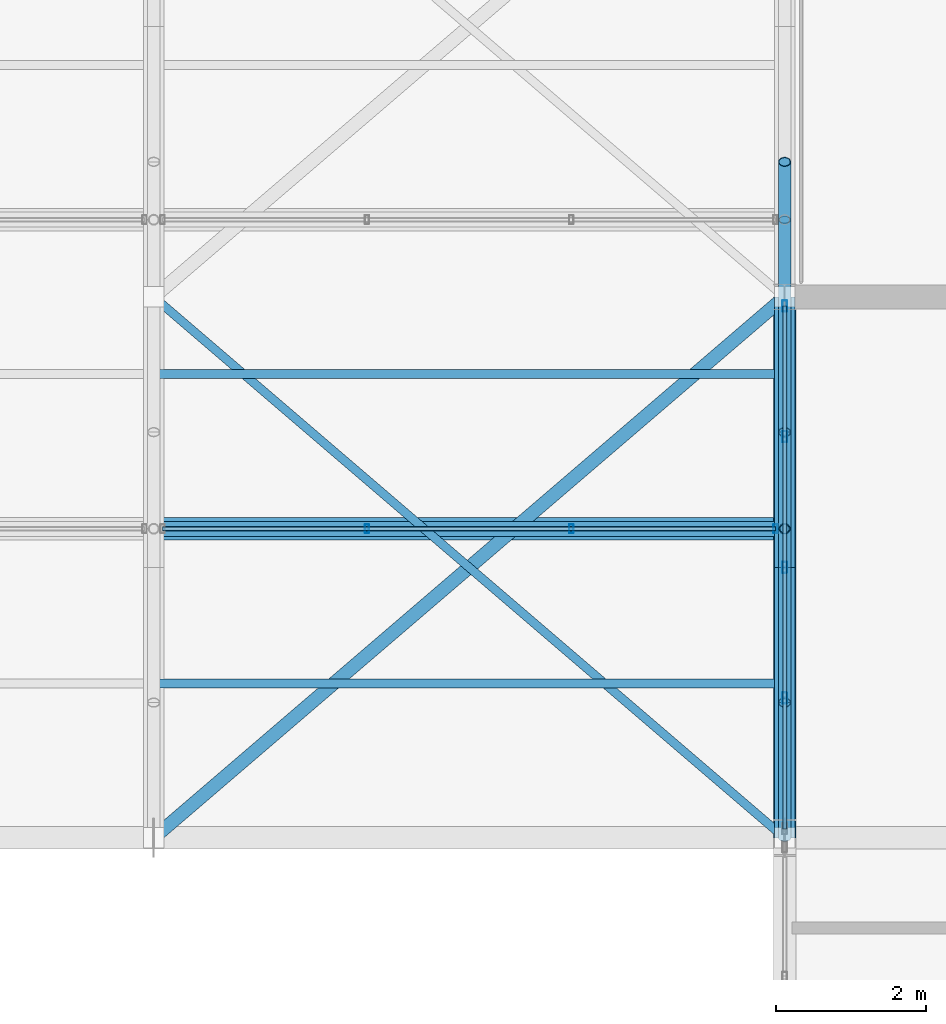
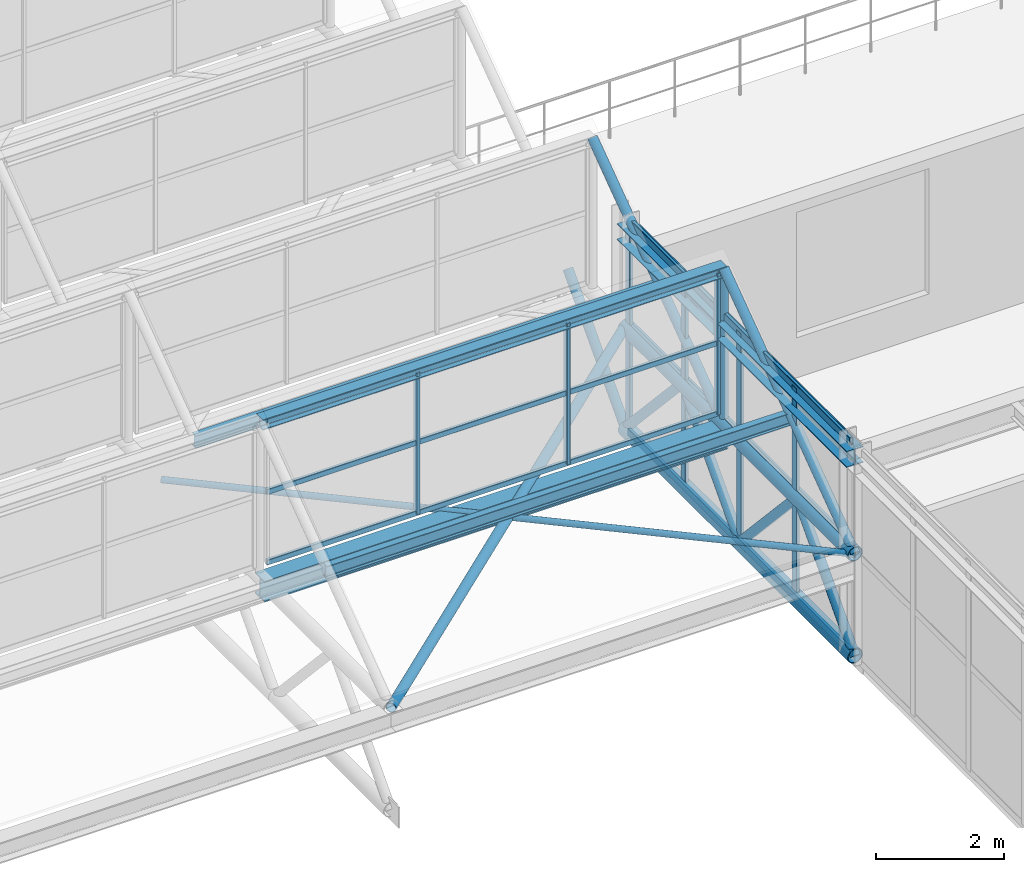
# One storey, part 85 of 134: 27 members, 5 beams, 2 elements without a shape of their own.
"""IFC4 building model written with IfcOpenShell, lengths in metres."""

from ifc_helpers import new_model, si_unit, derived_unit, direction, frame, origin, origin_2d, place, context, subcontext, project, spatial, hollow_rectangle, hollow_circle, i_section, extrude, material, material_profile, profile_set, type_object, element, aggregate, save


model = new_model("IFC4")

# Units and contexts
model_context = context("Model", 3, precision=1e-05, world=origin(), true_north=direction((0.0, 1.0)))
body_context = subcontext(model_context, "Body", "Model", "MODEL_VIEW")
ifc_project = project(units=[si_unit("LENGTHUNIT", "METRE"), si_unit("AREAUNIT", "SQUARE_METRE"), si_unit("VOLUMEUNIT", "CUBIC_METRE"), si_unit("PLANEANGLEUNIT", "RADIAN"), si_unit("MASSUNIT", "GRAM", prefix="KILO"), derived_unit("THERMALTRANSMITTANCEUNIT", [(si_unit("MASSUNIT", "GRAM", prefix="KILO"), 1), (si_unit("TIMEUNIT", "SECOND"), -3), (si_unit("THERMODYNAMICTEMPERATUREUNIT", "KELVIN"), -1)])], contexts=[model_context])

# Site, building, storey
site_placement = place(None, origin())
site = spatial("IfcSite", under=ifc_project, at=site_placement, CompositionType="ELEMENT")
building_placement = place(site_placement, origin())
building = spatial("IfcBuilding", under=site, at=building_placement, Name="Kharveza Railside Sports Centre", CompositionType="ELEMENT")
storey_placement = place(building_placement, frame((0.0, 0.0, 12.89990234375)))
storey = spatial("IfcBuildingStorey", under=building, at=storey_placement, Name="L03", CompositionType="ELEMENT", Elevation=12.89990234375)

# Beams
ifc_material_1 = material(Name="Steel S355J2", Category="steel")
ifc_material_profile_1 = material_profile(ifc_material_1, i_section(OverallWidth=0.300048828125, OverallDepth=0.39990234375, WebThickness=0.013427734375, FlangeThickness=0.02392578125, FilletRadius=0.027099609375, at=origin_2d()), Name="HEB 400")
ifc_profile_set_1 = profile_set([ifc_material_profile_1], Name="Steel S355J2")
beam_type_1 = type_object("IfcBeamType", Name="BM-G07", PredefinedType="T_BEAM", material=ifc_profile_set_1)
beam_1_placement = place(storey_placement, frame((134.39990234375, 83.314208984375, 1.760009765625), z_axis=(1.0, 0.0, 0.0), x_axis=(0.0, 1.0, 0.0)))
element("IfcBeam", 1, at=beam_1_placement, inside=storey, type_object=beam_type_1, Name="BM-V2SAW-VAL-2-6", PredefinedType="T_BEAM", context=body_context, shape_type="SweptSolid", body=[
    extrude(i_section(OverallWidth=0.300048828125, OverallDepth=0.39990234375, WebThickness=0.013427734375, FlangeThickness=0.02392578125, FilletRadius=0.027099609375, at=origin_2d()), origin(), (0.0, 0.0, 1.0), 8.400146484375),
])
ifc_material_2 = material(Name="Steel S275JR", Category="steel")
ifc_material_profile_2 = material_profile(ifc_material_2, i_section(OverallWidth=0.1201171875, OverallDepth=0.239990234375, WebThickness=0.006103515625, FlangeThickness=0.009765625, FilletRadius=0.014892578125, at=origin_2d()), Name="IPE 240")
ifc_profile_set_2 = profile_set([ifc_material_profile_2], Name="Steel S275JR")
beam_type_2 = type_object("IfcBeamType", Name="BM-J01", PredefinedType="JOIST", material=ifc_profile_set_2)
for number, where, z_axis, x_axis, name in (
    (2, (134.39990234375, 81.257080078125, 3.320068359375), (1.0, 0.0, 0.0), (0.0, 1.0, 0.0), "BM-V2SAW-PUR-1-6"),
    (3, (134.39990234375, 85.37158203125, 3.320068359375), (1.0, 0.0, 0.0), (0.0, 1.0, 0.0), "BM-V2SAW-PUR-2-6"),
):
    element("IfcBeam", number, at=place(storey_placement, frame(where, z_axis=z_axis, x_axis=x_axis)), inside=storey, type_object=beam_type_2, Name=name, PredefinedType="JOIST", context=body_context, shape_type="SweptSolid", body=[
        extrude(i_section(OverallWidth=0.1201171875, OverallDepth=0.239990234375, WebThickness=0.006103515625, FlangeThickness=0.009765625, FilletRadius=0.014892578125, at=origin_2d()), origin(), (0.0, 0.0, 1.0), 8.400146484375),
    ])
ifc_material_profile_3 = material_profile(ifc_material_2, i_section(OverallWidth=0.199951171875, OverallDepth=0.199951171875, WebThickness=0.009033203125, FlangeThickness=0.014892578125, FilletRadius=0.01806640625, at=origin_2d()), Name="HEB 200")
ifc_profile_set_3 = profile_set([ifc_material_profile_3], Name="Steel S275JR")
beam_type_3 = type_object("IfcBeamType", Name="BM-J05", PredefinedType="JOIST", material=ifc_profile_set_3)
beam_2_placement = place(storey_placement, frame((134.39990234375, 83.314208984375, 4.920166015625), z_axis=(1.0, 0.0, 0.0), x_axis=(0.0, 1.0, 0.0)))
element("IfcBeam", 4, at=beam_2_placement, inside=storey, type_object=beam_type_3, Name="BM-V2SAW-RDG-1-6", PredefinedType="JOIST", context=body_context, shape_type="SweptSolid", body=[
    extrude(i_section(OverallWidth=0.199951171875, OverallDepth=0.199951171875, WebThickness=0.009033203125, FlangeThickness=0.014892578125, FilletRadius=0.01806640625, at=origin_2d()), origin(), (0.0, 0.0, 1.0), 8.400146484375),
])
ifc_material_profile_4 = material_profile(ifc_material_1, i_section(OverallWidth=0.300048828125, OverallDepth=0.31005859375, WebThickness=0.009033203125, FlangeThickness=0.015380859375, FilletRadius=0.027099609375, at=origin_2d()), Name="HEA 320")
ifc_profile_set_4 = profile_set([ifc_material_profile_4], Name="Steel S355J2")
beam_type_4 = type_object("IfcBeamType", Name="BM-S06", PredefinedType="BEAM", material=ifc_profile_set_4)
beam_3_placement = place(storey_placement, frame((142.800048828125, 79.199951171875, 3.80517578125), z_axis=(0.0, 1.0, 0.0), x_axis=(-1.0, 0.0, 0.0)))
element("IfcBeam", 5, at=beam_3_placement, inside=storey, type_object=beam_type_4, Name="BM-NS-L03-B14-X1428-Y792", PredefinedType="BEAM", context=body_context, shape_type="SweptSolid", body=[
    extrude(i_section(OverallWidth=0.300048828125, OverallDepth=0.31005859375, WebThickness=0.009033203125, FlangeThickness=0.015380859375, FilletRadius=0.027099609375, at=origin_2d()), origin(), (0.0, 0.0, 1.0), 7.199951171875),
])

# Curtain wall, members
ifc_material_3 = material(Name="Low-E solar-control laminated glass", Category="glass")
curtain_wall_type_1 = type_object("IfcCurtainWallType", Name="CW-WG02", PredefinedType="NOTDEFINED", material=ifc_material_3)
curtain_wall_1_placement = place(storey_placement, origin())
curtain_wall_1 = element("IfcCurtainWall", 6, at=curtain_wall_1_placement, inside=storey, type_object=curtain_wall_type_1, Name="CW-WG-L03-CW-WG02-X1428-Y828", PredefinedType="NOTDEFINED")
ifc_material_4 = material(Name="Anodised aluminium 6063-T6", Category="aluminium")
ifc_material_profile_5 = material_profile(ifc_material_4, hollow_rectangle(XDim=0.06494140625, YDim=0.14990234375, WallThickness=0.0048828125, InnerFilletRadius=0.0048828125, OuterFilletRadius=0.010009765625, at=origin_2d()), Name="RHS 65x150x5.0")
ifc_profile_set_5 = profile_set([ifc_material_profile_5], Name="Anodised aluminium 6063-T6")
member_type_1 = type_object("IfcMemberType", Name="CW-ML04", PredefinedType="MULLION", material=ifc_profile_set_5)
member_1_placement = place(storey_placement, frame((142.800048828125, 86.280029296875, 0.0), z_axis=(0.0, 0.0, 1.0), x_axis=(1.0, 0.0, 0.0)))
member_1 = element("IfcMember", 7, at=member_1_placement, type_object=member_type_1, Name="CW-WG-L03-CW-WG02-X1428-Y828-ML1", PredefinedType="MULLION", context=body_context, shape_type="SweptSolid", body=[
    extrude(hollow_rectangle(XDim=0.06494140625, YDim=0.14990234375, WallThickness=0.0048828125, InnerFilletRadius=0.0048828125, OuterFilletRadius=0.010009765625, at=origin_2d()), origin(), (0.0, 0.0, 1.0), 4.03515625),
])
member_2_placement = place(storey_placement, frame((142.800048828125, 84.5400390625, 0.0), z_axis=(0.0, 0.0, 1.0), x_axis=(1.0, 0.0, 0.0)))
member_2 = element("IfcMember", 8, at=member_2_placement, type_object=member_type_1, Name="CW-WG-L03-CW-WG02-X1428-Y828-ML2", PredefinedType="MULLION", context=body_context, shape_type="SweptSolid", body=[
    extrude(hollow_rectangle(XDim=0.06494140625, YDim=0.14990234375, WallThickness=0.0048828125, InnerFilletRadius=0.0048828125, OuterFilletRadius=0.010009765625, at=origin_2d()), origin(), (0.0, 0.0, 1.0), 4.03515625),
])
member_3_placement = place(storey_placement, frame((142.800048828125, 82.800048828125, 0.0), z_axis=(0.0, 0.0, 1.0), x_axis=(1.0, 0.0, 0.0)))
member_3 = element("IfcMember", 9, at=member_3_placement, type_object=member_type_1, Name="CW-WG-L03-CW-WG02-X1428-Y828-ML3", PredefinedType="MULLION", context=body_context, shape_type="SweptSolid", body=[
    extrude(hollow_rectangle(XDim=0.06494140625, YDim=0.14990234375, WallThickness=0.0048828125, InnerFilletRadius=0.0048828125, OuterFilletRadius=0.010009765625, at=origin_2d()), origin(), (0.0, 0.0, 1.0), 4.03515625),
])
member_4_placement = place(storey_placement, frame((142.800048828125, 81.06005859375, 0.0), z_axis=(0.0, 0.0, 1.0), x_axis=(1.0, 0.0, 0.0)))
member_4 = element("IfcMember", 10, at=member_4_placement, type_object=member_type_1, Name="CW-WG-L03-CW-WG02-X1428-Y828-ML4", PredefinedType="MULLION", context=body_context, shape_type="SweptSolid", body=[
    extrude(hollow_rectangle(XDim=0.06494140625, YDim=0.14990234375, WallThickness=0.0048828125, InnerFilletRadius=0.0048828125, OuterFilletRadius=0.010009765625, at=origin_2d()), origin(), (0.0, 0.0, 1.0), 4.03515625),
])

curtain_wall_type_2 = type_object("IfcCurtainWallType", Name="CW-NL02", PredefinedType="NOTDEFINED", material=ifc_material_3)
curtain_wall_2_placement = place(storey_placement, origin())
curtain_wall_2 = element("IfcCurtainWall", 11, at=curtain_wall_2_placement, inside=storey, type_object=curtain_wall_type_2, Name="CW-V2NL-1-6", PredefinedType="NOTDEFINED")
ifc_material_profile_6 = material_profile(ifc_material_4, hollow_rectangle(XDim=0.06005859375, YDim=0.1201171875, WallThickness=0.0048828125, InnerFilletRadius=0.0048828125, OuterFilletRadius=0.010009765625, at=origin_2d()), Name="RHS 60x120x5.0")
ifc_profile_set_6 = profile_set([ifc_material_profile_6], Name="Anodised aluminium 6063-T6")
member_type_2 = type_object("IfcMemberType", Name="CW-ML05", PredefinedType="MULLION", material=ifc_profile_set_6)
member_5_placement = place(storey_placement, frame((137.239990234375, 83.314208984375, 2.2001953125), z_axis=(0.0, 0.0, 1.0), x_axis=(1.0, 0.0, 0.0)))
member_5 = element("IfcMember", 12, at=member_5_placement, type_object=member_type_2, Name="CW-V2NL-1-6-ML2", PredefinedType="MULLION", context=body_context, shape_type="SweptSolid", body=[
    extrude(hollow_rectangle(XDim=0.06005859375, YDim=0.1201171875, WallThickness=0.0048828125, InnerFilletRadius=0.0048828125, OuterFilletRadius=0.010009765625, at=origin_2d()), origin(), (0.0, 0.0, 1.0), 2.699951171875),
])
member_6_placement = place(storey_placement, frame((139.9599609375, 83.314208984375, 2.2001953125), z_axis=(0.0, 0.0, 1.0), x_axis=(1.0, 0.0, 0.0)))
member_6 = element("IfcMember", 13, at=member_6_placement, type_object=member_type_2, Name="CW-V2NL-1-6-ML3", PredefinedType="MULLION", context=body_context, shape_type="SweptSolid", body=[
    extrude(hollow_rectangle(XDim=0.06005859375, YDim=0.1201171875, WallThickness=0.0048828125, InnerFilletRadius=0.0048828125, OuterFilletRadius=0.010009765625, at=origin_2d()), origin(), (0.0, 0.0, 1.0), 2.699951171875),
])
member_7_placement = place(storey_placement, frame((142.679931640625, 83.314208984375, 2.2001953125), z_axis=(0.0, 0.0, 1.0), x_axis=(1.0, 0.0, 0.0)))
member_7 = element("IfcMember", 14, at=member_7_placement, type_object=member_type_2, Name="CW-V2NL-1-6-ML4", PredefinedType="MULLION", context=body_context, shape_type="SweptSolid", body=[
    extrude(hollow_rectangle(XDim=0.06005859375, YDim=0.1201171875, WallThickness=0.0048828125, InnerFilletRadius=0.0048828125, OuterFilletRadius=0.010009765625, at=origin_2d()), origin(), (0.0, 0.0, 1.0), 2.699951171875),
])

# Member
ifc_material_profile_7 = material_profile(ifc_material_4, hollow_rectangle(XDim=0.06005859375, YDim=0.139892578125, WallThickness=0.0048828125, InnerFilletRadius=0.0048828125, OuterFilletRadius=0.010009765625, at=origin_2d()), Name="RHS 60x140x5.0")
ifc_profile_set_7 = profile_set([ifc_material_profile_7], Name="Anodised aluminium 6063-T6")
member_type_3 = type_object("IfcMemberType", Name="CW-TR04", PredefinedType="USERDEFINED", material=ifc_profile_set_7)
member_8_placement = place(storey_placement, frame((142.800048828125, 86.280029296875, 0.0), z_axis=(0.0, -1.0, 0.0), x_axis=(1.0, 0.0, 0.0)))
member_8 = element("IfcMember", 15, at=member_8_placement, type_object=member_type_3, Name="CW-WG-L03-CW-WG02-X1428-Y828-TR1", ObjectType="TRANSOM", PredefinedType="USERDEFINED", context=body_context, shape_type="SweptSolid", body=[
    extrude(hollow_rectangle(XDim=0.06005859375, YDim=0.139892578125, WallThickness=0.0048828125, InnerFilletRadius=0.0048828125, OuterFilletRadius=0.010009765625, at=origin_2d()), origin(), (0.0, 0.0, 1.0), 6.9599609375),
])

member_9_placement = place(storey_placement, frame((142.800048828125, 86.280029296875, 2.017578125), z_axis=(0.0, -1.0, 0.0), x_axis=(1.0, 0.0, 0.0)))
member_9 = element("IfcMember", 16, at=member_9_placement, type_object=member_type_3, Name="CW-WG-L03-CW-WG02-X1428-Y828-TR2", ObjectType="TRANSOM", PredefinedType="USERDEFINED", context=body_context, shape_type="SweptSolid", body=[
    extrude(hollow_rectangle(XDim=0.06005859375, YDim=0.139892578125, WallThickness=0.0048828125, InnerFilletRadius=0.0048828125, OuterFilletRadius=0.010009765625, at=origin_2d()), origin(), (0.0, 0.0, 1.0), 6.9599609375),
])

member_10_placement = place(storey_placement, frame((142.800048828125, 86.280029296875, 4.03515625), z_axis=(0.0, -1.0, 0.0), x_axis=(1.0, 0.0, 0.0)))
member_10 = element("IfcMember", 17, at=member_10_placement, type_object=member_type_3, Name="CW-WG-L03-CW-WG02-X1428-Y828-TR3", ObjectType="TRANSOM", PredefinedType="USERDEFINED", context=body_context, shape_type="SweptSolid", body=[
    extrude(hollow_rectangle(XDim=0.06005859375, YDim=0.139892578125, WallThickness=0.0048828125, InnerFilletRadius=0.0048828125, OuterFilletRadius=0.010009765625, at=origin_2d()), origin(), (0.0, 0.0, 1.0), 6.9599609375),
])

aggregate(curtain_wall_1, [member_1, member_2, member_3, member_4, member_8, member_9, member_10])

ifc_material_profile_8 = material_profile(ifc_material_4, hollow_rectangle(XDim=0.06005859375, YDim=0.10009765625, WallThickness=0.00390625, InnerFilletRadius=0.00390625, OuterFilletRadius=0.008056640625, at=origin_2d()), Name="RHS 60x100x4.0")
ifc_profile_set_8 = profile_set([ifc_material_profile_8], Name="Anodised aluminium 6063-T6")
member_type_4 = type_object("IfcMemberType", Name="CW-TR05", PredefinedType="USERDEFINED", material=ifc_profile_set_8)
member_11_placement = place(storey_placement, frame((134.52001953125, 83.314208984375, 2.2001953125), z_axis=(1.0, 0.0, 0.0), x_axis=(0.0, 1.0, 0.0)))
member_11 = element("IfcMember", 18, at=member_11_placement, type_object=member_type_4, Name="CW-V2NL-1-6-TR1", ObjectType="TRANSOM", PredefinedType="USERDEFINED", context=body_context, shape_type="SweptSolid", body=[
    extrude(hollow_rectangle(XDim=0.06005859375, YDim=0.10009765625, WallThickness=0.00390625, InnerFilletRadius=0.00390625, OuterFilletRadius=0.008056640625, at=origin_2d()), origin(), (0.0, 0.0, 1.0), 8.159912109375),
])

member_12_placement = place(storey_placement, frame((134.52001953125, 83.314208984375, 3.550048828125), z_axis=(1.0, 0.0, 0.0), x_axis=(0.0, 1.0, 0.0)))
member_12 = element("IfcMember", 19, at=member_12_placement, type_object=member_type_4, Name="CW-V2NL-1-6-TR2", ObjectType="TRANSOM", PredefinedType="USERDEFINED", context=body_context, shape_type="SweptSolid", body=[
    extrude(hollow_rectangle(XDim=0.06005859375, YDim=0.10009765625, WallThickness=0.00390625, InnerFilletRadius=0.00390625, OuterFilletRadius=0.008056640625, at=origin_2d()), origin(), (0.0, 0.0, 1.0), 8.159912109375),
])

member_13_placement = place(storey_placement, frame((134.52001953125, 83.314208984375, 4.900146484375), z_axis=(1.0, 0.0, 0.0), x_axis=(0.0, 1.0, 0.0)))
member_13 = element("IfcMember", 20, at=member_13_placement, type_object=member_type_4, Name="CW-V2NL-1-6-TR3", ObjectType="TRANSOM", PredefinedType="USERDEFINED", context=body_context, shape_type="SweptSolid", body=[
    extrude(hollow_rectangle(XDim=0.06005859375, YDim=0.10009765625, WallThickness=0.00390625, InnerFilletRadius=0.00390625, OuterFilletRadius=0.008056640625, at=origin_2d()), origin(), (0.0, 0.0, 1.0), 8.159912109375),
])

aggregate(curtain_wall_2, [member_5, member_6, member_7, member_11, member_12, member_13])

# Members
ifc_material_profile_9 = material_profile(ifc_material_1, hollow_circle(Radius=0.0888671875, WallThickness=0.010009765625, at=origin_2d()), Name="CHS 177.8x10.0")
ifc_profile_set_9 = profile_set([ifc_material_profile_9], Name="Steel S355J2")
member_type_5 = type_object("IfcMemberType", Name="MB-BR03", PredefinedType="BRACE", material=ifc_profile_set_9)
member_14_placement = place(storey_placement, frame((134.39990234375, 79.199951171875, 1.9501953125), z_axis=(0.759264390716, 0.650782286936, 0.0), x_axis=(-0.650782286936, 0.759264390716, 0.0)))
element("IfcMember", 21, at=member_14_placement, inside=storey, type_object=member_type_5, Name="MB-ROOFBR-V2-6-1A", PredefinedType="BRACE", context=body_context, shape_type="SweptSolid", body=[
    extrude(hollow_circle(Radius=0.0888671875, WallThickness=0.010009765625, at=origin_2d()), origin(), (0.0, 0.0, 1.0), 11.0634765625),
])
ifc_material_profile_10 = material_profile(ifc_material_2, hollow_circle(Radius=0.05712890625, WallThickness=0.00634765625, at=origin_2d()), Name="CHS 114.3x6.3")
ifc_profile_set_10 = profile_set([ifc_material_profile_10], Name="Steel S275JR")
member_type_6 = type_object("IfcMemberType", Name="MB-BR04", PredefinedType="BRACE", material=ifc_profile_set_10)
member_15_placement = place(storey_placement, frame((142.800048828125, 79.199951171875, 1.9501953125), z_axis=(-0.759264390716, 0.650782286936, 0.0), x_axis=(-0.650782286936, -0.759264390716, 0.0)))
element("IfcMember", 22, at=member_15_placement, inside=storey, type_object=member_type_6, Name="MB-ROOFBR-V2-6-1B", PredefinedType="BRACE", context=body_context, shape_type="SweptSolid", body=[
    extrude(hollow_circle(Radius=0.05712890625, WallThickness=0.00634765625, at=origin_2d()), origin(), (0.0, 0.0, 1.0), 11.0634765625),
])
ifc_material_profile_11 = material_profile(ifc_material_1, hollow_circle(Radius=0.136474609375, WallThickness=0.01416015625, at=origin_2d()), Name="CHS 273.0x14.2")
ifc_profile_set_11 = profile_set([ifc_material_profile_11], Name="Steel S355J2")
member_type_7 = type_object("IfcMemberType", Name="MB-CH03", PredefinedType="CHORD", material=ifc_profile_set_11)
for number, where, z_axis, x_axis, name in (
    (23, (142.800048828125, 79.199951171875, 0.0), (0.0, 1.0, 0.0), (-1.0, 0.0, 0.0), "MB-V2TR-BC-7-1"),
    (24, (142.800048828125, 79.199951171875, 1.9501953125), (0.0, 1.0, 0.0), (-1.0, 0.0, 0.0), "MB-V2TR-TC-7-1"),
):
    element("IfcMember", number, at=place(storey_placement, frame(where, z_axis=z_axis, x_axis=x_axis)), inside=storey, type_object=member_type_7, Name=name, PredefinedType="CHORD", context=body_context, shape_type="SweptSolid", body=[
        extrude(hollow_circle(Radius=0.136474609375, WallThickness=0.01416015625, at=origin_2d()), origin(), (0.0, 0.0, 1.0), 3.60009765625),
    ])
for number, where, z_axis, x_axis, name in (
    (25, (142.800048828125, 82.800048828125, 0.0), (0.0, 1.0, 0.0), (-1.0, 0.0, 0.0), "MB-V2TR-BC-7-2"),
    (26, (142.800048828125, 82.800048828125, 1.9501953125), (0.0, 1.0, 0.0), (-1.0, 0.0, 0.0), "MB-V2TR-TC-7-2"),
):
    element("IfcMember", number, at=place(storey_placement, frame(where, z_axis=z_axis, x_axis=x_axis)), inside=storey, type_object=member_type_7, Name=name, PredefinedType="CHORD", context=body_context, shape_type="SweptSolid", body=[
        extrude(hollow_circle(Radius=0.136474609375, WallThickness=0.01416015625, at=origin_2d()), origin(), (0.0, 0.0, 1.0), 3.599853515625),
    ])
ifc_material_profile_12 = material_profile(ifc_material_1, hollow_circle(Radius=0.084228515625, WallThickness=0.010009765625, at=origin_2d()), Name="CHS 168.3x10.0")
ifc_profile_set_12 = profile_set([ifc_material_profile_12], Name="Steel S355J2")
member_type_8 = type_object("IfcMemberType", Name="MB-ST03", PredefinedType="STRUT", material=ifc_profile_set_12)
for number, where, z_axis, x_axis, name in (
    (27, (142.800048828125, 79.199951171875, 0.0), (0.0, 0.67825335715, 0.734828131956), (-1.0, 0.0, 0.0), "MB-V2TR-D1-7-1"),
    (28, (142.800048828125, 81.0, 1.9501953125), (0.0, 0.67825335715, -0.734828131956), (-1.0, 0.0, 0.0), "MB-V2TR-D2-7-1"),
    (29, (142.800048828125, 82.800048828125, 0.0), (0.0, 0.67825335715, 0.734828131956), (-1.0, 0.0, 0.0), "MB-V2TR-D1-7-2"),
):
    element("IfcMember", number, at=place(storey_placement, frame(where, z_axis=z_axis, x_axis=x_axis)), inside=storey, type_object=member_type_8, Name=name, PredefinedType="STRUT", context=body_context, shape_type="SweptSolid", body=[
        extrude(hollow_circle(Radius=0.084228515625, WallThickness=0.010009765625, at=origin_2d()), origin(), (0.0, 0.0, 1.0), 2.654052734375),
    ])
member_16_placement = place(storey_placement, frame((142.800048828125, 84.60009765625, 1.9501953125), z_axis=(0.0, 0.678203679629, -0.734873981671), x_axis=(-1.0, 0.0, 0.0)))
element("IfcMember", 30, at=member_16_placement, inside=storey, type_object=member_type_8, Name="MB-V2TR-D2-7-2", PredefinedType="STRUT", context=body_context, shape_type="SweptSolid", body=[
    extrude(hollow_circle(Radius=0.084228515625, WallThickness=0.010009765625, at=origin_2d()), origin(), (0.0, 0.0, 1.0), 2.65380859375),
])
member_17_placement = place(storey_placement, frame((142.800048828125, 86.39990234375, 0.0), z_axis=(0.0, 0.67825335715, 0.734828131956), x_axis=(-1.0, 0.0, 0.0)))
element("IfcMember", 31, at=member_17_placement, inside=storey, type_object=member_type_8, Name="MB-V2TR-D1-7-3", PredefinedType="STRUT", context=body_context, shape_type="SweptSolid", body=[
    extrude(hollow_circle(Radius=0.084228515625, WallThickness=0.010009765625, at=origin_2d()), origin(), (0.0, 0.0, 1.0), 2.654052734375),
])
member_18_placement = place(storey_placement, frame((142.800048828125, 79.199951171875, 1.9501953125), z_axis=(0.0, 0.810813691418, 0.585304329225), x_axis=(-1.0, 0.0, 0.0)))
element("IfcMember", 32, at=member_18_placement, inside=storey, type_object=member_type_8, Name="MB-V2SAW-RFT-1-7", PredefinedType="STRUT", context=body_context, shape_type="SweptSolid", body=[
    extrude(hollow_circle(Radius=0.084228515625, WallThickness=0.010009765625, at=origin_2d()), origin(), (0.0, 0.0, 1.0), 5.07421875),
])
member_19_placement = place(storey_placement, frame((142.800048828125, 83.314208984375, 1.9501953125), z_axis=(0.0, 0.810830173333, 0.585281496386), x_axis=(-1.0, 0.0, 0.0)))
element("IfcMember", 33, at=member_19_placement, inside=storey, type_object=member_type_8, Name="MB-V2SAW-RFT-2-7", PredefinedType="STRUT", context=body_context, shape_type="SweptSolid", body=[
    extrude(hollow_circle(Radius=0.084228515625, WallThickness=0.010009765625, at=origin_2d()), origin(), (0.0, 0.0, 1.0), 5.074462890625),
])
ifc_material_profile_13 = material_profile(ifc_material_1, hollow_circle(Radius=0.06982421875, WallThickness=0.008056640625, at=origin_2d()), Name="CHS 139.7x8.0")
ifc_profile_set_13 = profile_set([ifc_material_profile_13], Name="Steel S355J2")
member_type_9 = type_object("IfcMemberType", Name="MB-ST04", PredefinedType="STRUT", material=ifc_profile_set_13)
member_20_placement = place(storey_placement, frame((142.800048828125, 83.314208984375, 1.9501953125), z_axis=(0.0, 0.0, 1.0), x_axis=(1.0, 0.0, 0.0)))
element("IfcMember", 34, at=member_20_placement, inside=storey, type_object=member_type_9, Name="MB-V2SAW-PST-1-7", PredefinedType="STRUT", context=body_context, shape_type="SweptSolid", body=[
    extrude(hollow_circle(Radius=0.06982421875, WallThickness=0.008056640625, at=origin_2d()), origin(), (0.0, 0.0, 1.0), 2.969970703125),
])

save(model, "model.ifc")
